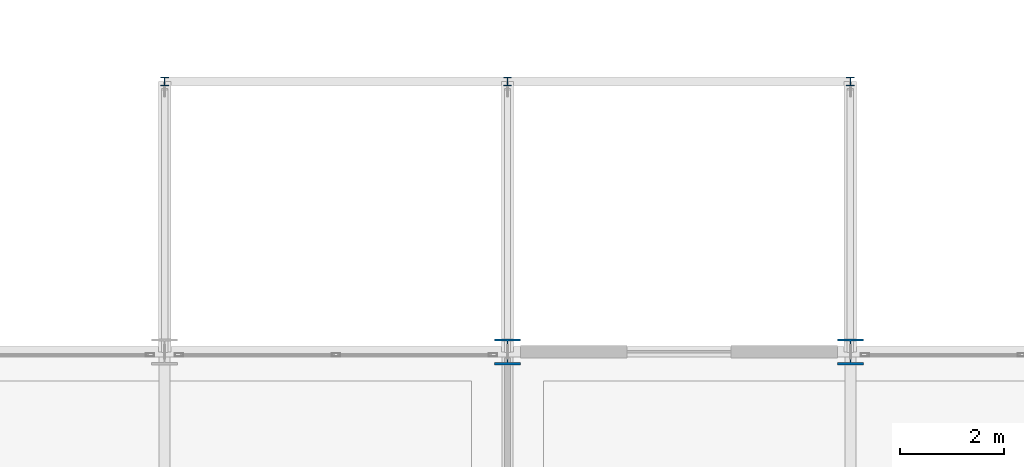
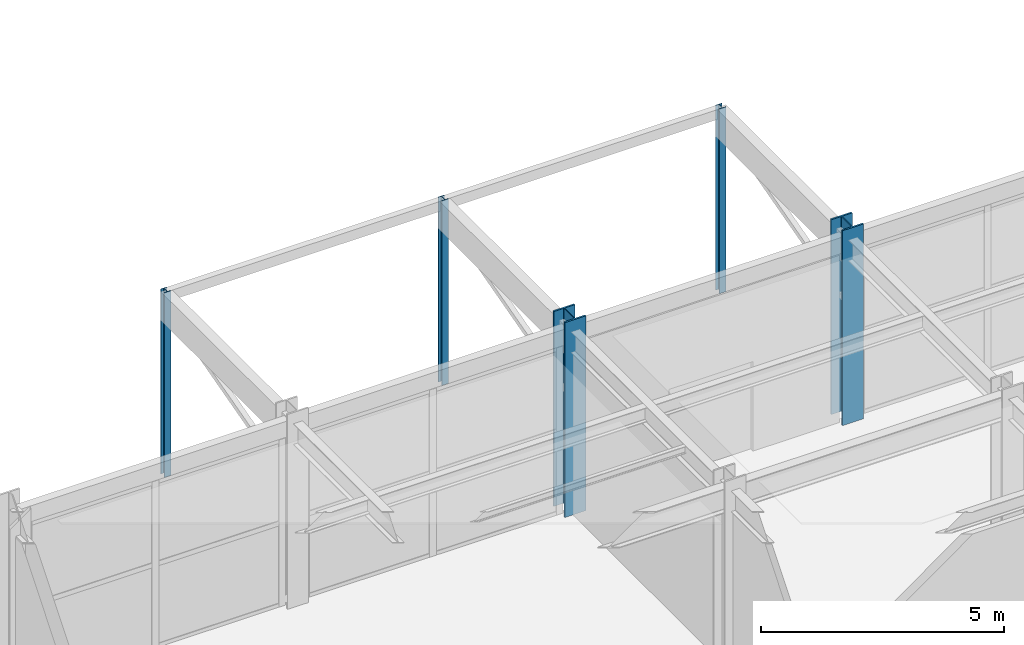
# One storey, part 8 of 144: 5 columns.
"""IFC4 building model written with IfcOpenShell, lengths in metres."""

from ifc_helpers import new_model, si_unit, direction, frame, origin, origin_2d, place, context, subcontext, project, spatial, i_section, extrude, material, material_profile, profile_set, type_object, element, save


model = new_model("IFC4")

# Units and contexts
model_context = context("Model", 3, precision=1e-05, world=origin(), true_north=direction((0.0, 1.0)))
body_context = subcontext(model_context, "Body", "Model", "MODEL_VIEW")
ifc_project = project(units=[si_unit("LENGTHUNIT", "METRE"), si_unit("AREAUNIT", "SQUARE_METRE"), si_unit("VOLUMEUNIT", "CUBIC_METRE"), si_unit("PLANEANGLEUNIT", "RADIAN"), si_unit("MASSUNIT", "GRAM", prefix="KILO")], contexts=[model_context])

# Site, building, storey
site_placement = place(None, origin())
site = spatial("IfcSite", under=ifc_project, at=site_placement, CompositionType="ELEMENT")
building_placement = place(site_placement, origin())
building = spatial("IfcBuilding", under=site, at=building_placement, Name="Karori Crest Natural Sciences Institute", CompositionType="ELEMENT")
storey_placement = place(building_placement, origin())
storey = spatial("IfcBuildingStorey", under=building, at=storey_placement, Name="L00", CompositionType="ELEMENT", Elevation=0.0)

# Columns
ifc_material = material(Name="Structural steel AS/NZS 3679.1 Grade 350", Category="steel")
ifc_material_profile_1 = material_profile(ifc_material, i_section(OverallWidth=0.5, OverallDepth=0.5, WebThickness=0.02197265625, FlangeThickness=0.0400390625, FilletRadius=0.01611328125, at=origin_2d()), Name="500WC440")
ifc_profile_set_1 = profile_set([ifc_material_profile_1], Name="Structural steel AS/NZS 3679.1 Grade 350")
column_type_1 = type_object("IfcColumnType", Name="CT-01-EL", PredefinedType="COLUMN", material=ifc_profile_set_1)
for number, where, z_axis, x_axis, name in (
    (1, (116.800048828125, 20.60009765625, 0.0), (0.0, 0.0, 1.0), (1.0, 0.0, 0.0), "Column C-1150"),
    (2, (123.39990234375, 20.60009765625, 0.0), (0.0, 0.0, 1.0), (1.0, 0.0, 0.0), "Column C-1198"),
):
    element("IfcColumn", number, at=place(storey_placement, frame(where, z_axis=z_axis, x_axis=x_axis)), inside=storey, type_object=column_type_1, Name=name, PredefinedType="COLUMN", context=body_context, shape_type="SweptSolid", body=[
        extrude(i_section(OverallWidth=0.5, OverallDepth=0.5, WebThickness=0.02197265625, FlangeThickness=0.0400390625, FilletRadius=0.01611328125, at=origin_2d()), origin(), (0.0, 0.0, 1.0), 4.89990234375),
    ])
ifc_material_profile_2 = material_profile(ifc_material, i_section(OverallWidth=0.153076171875, OverallDepth=0.157958984375, WebThickness=0.006591796875, FlangeThickness=0.009521484375, FilletRadius=0.009033203125, at=origin_2d()), Name="150UC30.0")
ifc_profile_set_2 = profile_set([ifc_material_profile_2], Name="Structural steel AS/NZS 3679.1 Grade 350")
column_type_2 = type_object("IfcColumnType", Name="CT-10", PredefinedType="COLUMN", material=ifc_profile_set_2)
for number, where, z_axis, x_axis, name in (
    (3, (110.199951171875, 25.800048828125, 0.0), (0.0, 0.0, 1.0), (1.0, 0.0, 0.0), "Column C-1458"),
    (4, (116.800048828125, 25.800048828125, 0.0), (0.0, 0.0, 1.0), (1.0, 0.0, 0.0), "Column C-1460"),
    (5, (123.39990234375, 25.800048828125, 0.0), (0.0, 0.0, 1.0), (1.0, 0.0, 0.0), "Column C-1462"),
):
    element("IfcColumn", number, at=place(storey_placement, frame(where, z_axis=z_axis, x_axis=x_axis)), inside=storey, type_object=column_type_2, Name=name, PredefinedType="COLUMN", context=body_context, shape_type="SweptSolid", body=[
        extrude(i_section(OverallWidth=0.153076171875, OverallDepth=0.157958984375, WebThickness=0.006591796875, FlangeThickness=0.009521484375, FilletRadius=0.009033203125, at=origin_2d()), origin(), (0.0, 0.0, 1.0), 4.64990234375),
    ])

save(model, "model.ifc")
